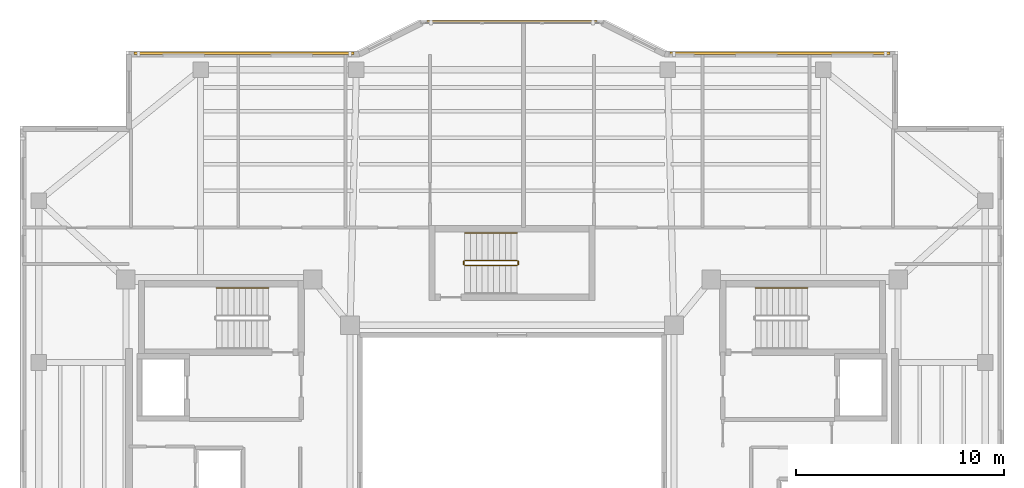
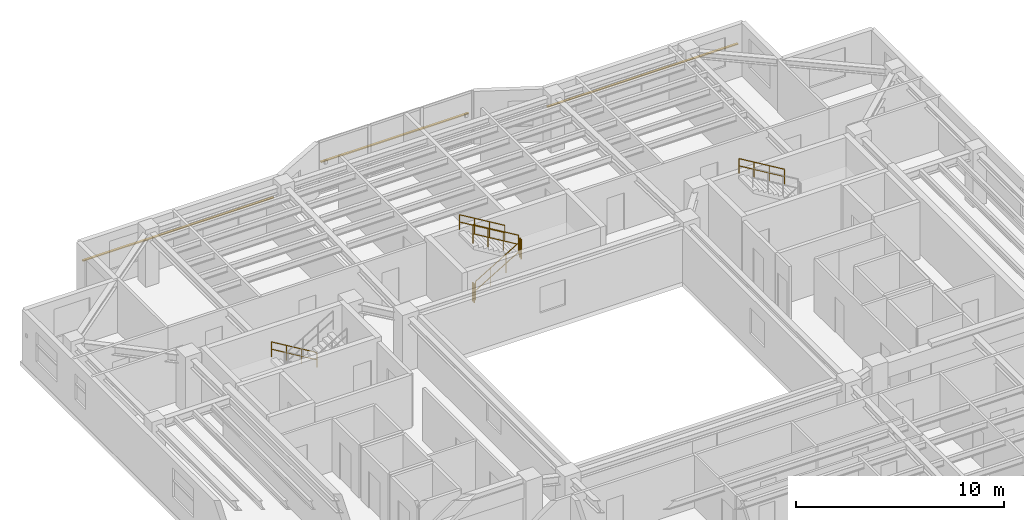
# One storey, part 14 of 14: 7 railings, 3 shading devices.
"""IFC4 building model written with IfcOpenShell, lengths in metres."""

from ifc_helpers import new_model, si_unit, direction, frame, origin, origin_2d, place, context, subcontext, project, spatial, rectangle, circle, extrude, material, material_profile, profile_set, type_object, element, save


model = new_model("IFC4")

# Units and contexts
model_context = context("Model", 3, precision=1e-05, world=origin(), true_north=direction((0.0, 1.0)))
body_context = subcontext(model_context, "Body", "Model", "MODEL_VIEW")
ifc_project = project(units=[si_unit("LENGTHUNIT", "METRE"), si_unit("AREAUNIT", "SQUARE_METRE"), si_unit("VOLUMEUNIT", "CUBIC_METRE"), si_unit("PLANEANGLEUNIT", "RADIAN"), si_unit("MASSUNIT", "GRAM", prefix="KILO")], contexts=[model_context])

# Site, building, storey
site_placement = place(None, origin())
site = spatial("IfcSite", under=ifc_project, at=site_placement, CompositionType="ELEMENT")
building_placement = place(site_placement, origin())
building = spatial("IfcBuilding", under=site, at=building_placement, Name="Tarnavaz Court Tower", CompositionType="ELEMENT")
storey_placement = place(building_placement, frame((0.0, 0.0, 190.25)))
storey = spatial("IfcBuildingStorey", under=building, at=storey_placement, Name="L51", CompositionType="ELEMENT", Elevation=190.25)

# Railings
ifc_material_1 = material(Name="Brushed Stainless Steel", Category="steel")
railing_type_1 = type_object("IfcRailingType", Name="RL-HANDRAIL-900", PredefinedType="HANDRAIL", material=ifc_material_1)
for number, where, name in (
    (1, (-11.719970703125, 9.590087890625, 0.16748046875), "L51 ST-W1 stair handrail 1"),
    (2, (14.239990234375, 9.590087890625, 1.842529296875), "L51 ST-E1 stair handrail 2"),
    (3, (0.239990234375, 12.239990234375, 1.842529296875), "L51 ST-N1 stair handrail 2"),
):
    element("IfcRailing", number, at=place(storey_placement, frame(where)), inside=storey, type_object=railing_type_1, Name=name, PredefinedType="HANDRAIL", context=body_context, shape_type="SweptSolid", body=[
        extrude(circle(Radius=0.02392578125, at=origin_2d()), frame((0.0, 0.0, 0.8759765625), z_axis=(-0.858159760407, 0.0, 0.513382728203), x_axis=(0.0, -1.0, 0.0)), (0.0, 0.0, 1.0), 2.9365234375),
        extrude(circle(Radius=0.02392578125, at=origin_2d()), frame((0.0, 0.0, 0.449951171875), z_axis=(-0.858159760407, 0.0, 0.513382728203), x_axis=(0.0, -1.0, 0.0)), (0.0, 0.0, 1.0), 2.9365234375),
        extrude(circle(Radius=0.02099609375, at=origin_2d()), origin(), (0.0, 0.0, 1.0), 0.851806640625),
        extrude(circle(Radius=0.02099609375, at=origin_2d()), frame((-0.840087890625, 0.0, 0.50244140625)), (0.0, 0.0, 1.0), 0.851806640625),
        extrude(circle(Radius=0.02099609375, at=origin_2d()), frame((-1.679931640625, 0.0, 1.005126953125)), (0.0, 0.0, 1.0), 0.851806640625),
        extrude(circle(Radius=0.02099609375, at=origin_2d()), frame((-2.52001953125, 0.0, 1.507568359375)), (0.0, 0.0, 1.0), 0.851806640625),
    ])
ifc_material_2 = material(Name="Galvanized Painted Tubular Steel", Category="steel")
railing_type_2 = type_object("IfcRailingType", Name="RL-STGUARD-1120", PredefinedType="GUARDRAIL", material=ifc_material_2)
railing_1_placement = place(storey_placement, frame((-2.280029296875, 10.669921875, 0.16748046875)))
element("IfcRailing", 4, at=railing_1_placement, inside=storey, type_object=railing_type_2, Name="L51 ST-N1 stair guard 1", PredefinedType="GUARDRAIL", context=body_context, shape_type="SweptSolid", body=[
    extrude(circle(Radius=0.02392578125, at=origin_2d()), frame((0.0, 0.0, 1.09619140625), z_axis=(0.858159760407, 0.0, 0.513382728203), x_axis=(0.0, 1.0, 0.0)), (0.0, 0.0, 1.0), 2.9365234375),
    extrude(circle(Radius=0.02392578125, at=origin_2d()), frame((0.0, 0.0, 0.56005859375), z_axis=(0.858159760407, 0.0, 0.513382728203), x_axis=(0.0, 1.0, 0.0)), (0.0, 0.0, 1.0), 2.9365234375),
    extrude(circle(Radius=0.02099609375, at=origin_2d()), origin(), (0.0, 0.0, 1.0), 1.072021484375),
    extrude(circle(Radius=0.02099609375, at=origin_2d()), frame((0.840087890625, 0.0, 0.50244140625)), (0.0, 0.0, 1.0), 1.072021484375),
    extrude(circle(Radius=0.02099609375, at=origin_2d()), frame((1.679931640625, 0.0, 1.005126953125)), (0.0, 0.0, 1.0), 1.072021484375),
    extrude(circle(Radius=0.02099609375, at=origin_2d()), frame((2.52001953125, 0.0, 1.507568359375)), (0.0, 0.0, 1.0), 1.072021484375),
])
railing_2_placement = place(storey_placement, frame((0.2900390625, 10.719970703125, 1.675048828125)))
element("IfcRailing", 5, at=railing_2_placement, inside=storey, type_object=railing_type_2, Name="L51 ST-N1 stair guard 2", PredefinedType="GUARDRAIL", context=body_context, shape_type="SweptSolid", body=[
    extrude(circle(Radius=0.02392578125, at=origin_2d()), frame((0.0, 0.0, 1.09619140625), z_axis=(0.0, 1.0, 0.0), x_axis=(-1.0, 0.0, 0.0)), (0.0, 0.0, 1.0), 0.150146484375),
    extrude(circle(Radius=0.02392578125, at=origin_2d()), frame((0.0, 0.0, 0.56005859375), z_axis=(0.0, 1.0, 0.0), x_axis=(-1.0, 0.0, 0.0)), (0.0, 0.0, 1.0), 0.150146484375),
    extrude(circle(Radius=0.02099609375, at=origin_2d()), origin(), (0.0, 0.0, 1.0), 1.072021484375),
    extrude(circle(Radius=0.02099609375, at=origin_2d()), frame((0.0, 0.150146484375, 0.0)), (0.0, 0.0, 1.0), 1.072021484375),
])
railing_3_placement = place(storey_placement, frame((0.239990234375, 10.919921875, 1.842529296875)))
element("IfcRailing", 6, at=railing_3_placement, inside=storey, type_object=railing_type_2, Name="L51 ST-N1 stair guard 3", PredefinedType="GUARDRAIL", context=body_context, shape_type="SweptSolid", body=[
    extrude(circle(Radius=0.02392578125, at=origin_2d()), frame((0.0, 0.0, 1.09619140625), z_axis=(-0.858159760407, 0.0, 0.513382728203), x_axis=(0.0, -1.0, 0.0)), (0.0, 0.0, 1.0), 2.9365234375),
    extrude(circle(Radius=0.02392578125, at=origin_2d()), frame((0.0, 0.0, 0.56005859375), z_axis=(-0.858159760407, 0.0, 0.513382728203), x_axis=(0.0, -1.0, 0.0)), (0.0, 0.0, 1.0), 2.9365234375),
    extrude(circle(Radius=0.02099609375, at=origin_2d()), origin(), (0.0, 0.0, 1.0), 1.072021484375),
    extrude(circle(Radius=0.02099609375, at=origin_2d()), frame((-0.840087890625, 0.0, 0.50244140625)), (0.0, 0.0, 1.0), 1.072021484375),
    extrude(circle(Radius=0.02099609375, at=origin_2d()), frame((-1.679931640625, 0.0, 1.005126953125)), (0.0, 0.0, 1.0), 1.072021484375),
    extrude(circle(Radius=0.02099609375, at=origin_2d()), frame((-2.52001953125, 0.0, 1.507568359375)), (0.0, 0.0, 1.0), 1.072021484375),
])
railing_4_placement = place(storey_placement, frame((-2.330078125, 10.719970703125, 0.0)))
element("IfcRailing", 7, at=railing_4_placement, inside=storey, type_object=railing_type_2, Name="L51 ST-N1 stair guard 4", PredefinedType="GUARDRAIL", context=body_context, shape_type="SweptSolid", body=[
    extrude(circle(Radius=0.02392578125, at=origin_2d()), frame((0.0, 0.0, 1.09619140625), z_axis=(0.0, 1.0, 0.0), x_axis=(-1.0, 0.0, 0.0)), (0.0, 0.0, 1.0), 0.150146484375),
    extrude(circle(Radius=0.02392578125, at=origin_2d()), frame((0.0, 0.0, 0.56005859375), z_axis=(0.0, 1.0, 0.0), x_axis=(-1.0, 0.0, 0.0)), (0.0, 0.0, 1.0), 0.150146484375),
    extrude(circle(Radius=0.02099609375, at=origin_2d()), origin(), (0.0, 0.0, 1.0), 1.072021484375),
    extrude(circle(Radius=0.02099609375, at=origin_2d()), frame((0.0, 0.150146484375, 0.0)), (0.0, 0.0, 1.0), 1.072021484375),
])

# Shading devices
ifc_material_3 = material(Name="Kiln-Fired Khorasan Terracotta Ceramic", Category="masonry")
ifc_material_profile = material_profile(ifc_material_3, rectangle(XDim=0.1201171875, YDim=0.06005859375, at=origin_2d()), Name="TC BAGUETTE 120X60")
ifc_profile_set = profile_set([ifc_material_profile], Name="Kiln-Fired Khorasan Terracotta Ceramic")
shading_device_type = type_object("IfcShadingDeviceType", Name="SD-BAG-120", PredefinedType="USERDEFINED", material=ifc_profile_set)
shading_device_1_placement = place(storey_placement, frame((-18.199951171875, 20.909912109375, 1.85009765625), z_axis=(1.0, 0.0, 0.0), x_axis=(0.0, 1.0, 0.0)))
element("IfcShadingDevice", 8, at=shading_device_1_placement, inside=storey, type_object=shading_device_type, Name="L51 Terracotta Baguette Screen FBG05", ObjectType="BAGUETTE", PredefinedType="USERDEFINED", context=body_context, shape_type="SweptSolid", body=[
    extrude(rectangle(XDim=0.1201171875, YDim=0.06005859375, at=origin_2d()), origin(), (0.0, 0.0, 1.0), 10.599853515625),
])
shading_device_2_placement = place(storey_placement, frame((-4.10009765625, 22.409912109375, 1.800048828125), z_axis=(1.0, 0.0, 0.0), x_axis=(0.0, 1.0, 0.0)))
element("IfcShadingDevice", 9, at=shading_device_2_placement, inside=storey, type_object=shading_device_type, Name="L51 Terracotta Baguette Screen PBG7", ObjectType="BAGUETTE", PredefinedType="USERDEFINED", context=body_context, shape_type="SweptSolid", body=[
    extrude(rectangle(XDim=0.1201171875, YDim=0.06005859375, at=origin_2d()), origin(), (0.0, 0.0, 1.0), 8.2001953125),
])
shading_device_3_placement = place(storey_placement, frame((7.60009765625, 20.909912109375, 1.85009765625), z_axis=(1.0, 0.0, 0.0), x_axis=(0.0, 1.0, 0.0)))
element("IfcShadingDevice", 10, at=shading_device_3_placement, inside=storey, type_object=shading_device_type, Name="L51 Terracotta Baguette Screen FBG09", ObjectType="BAGUETTE", PredefinedType="USERDEFINED", context=body_context, shape_type="SweptSolid", body=[
    extrude(rectangle(XDim=0.1201171875, YDim=0.06005859375, at=origin_2d()), origin(), (0.0, 0.0, 1.0), 10.599853515625),
])

save(model, "model.ifc")
